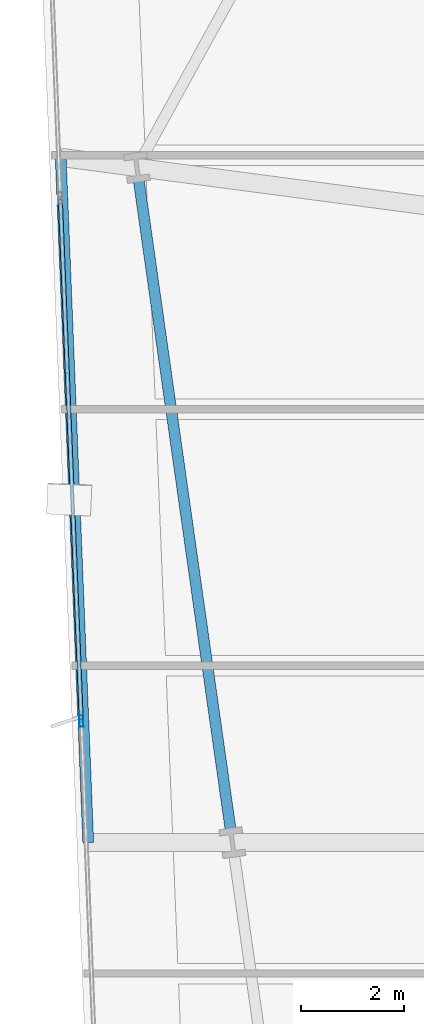
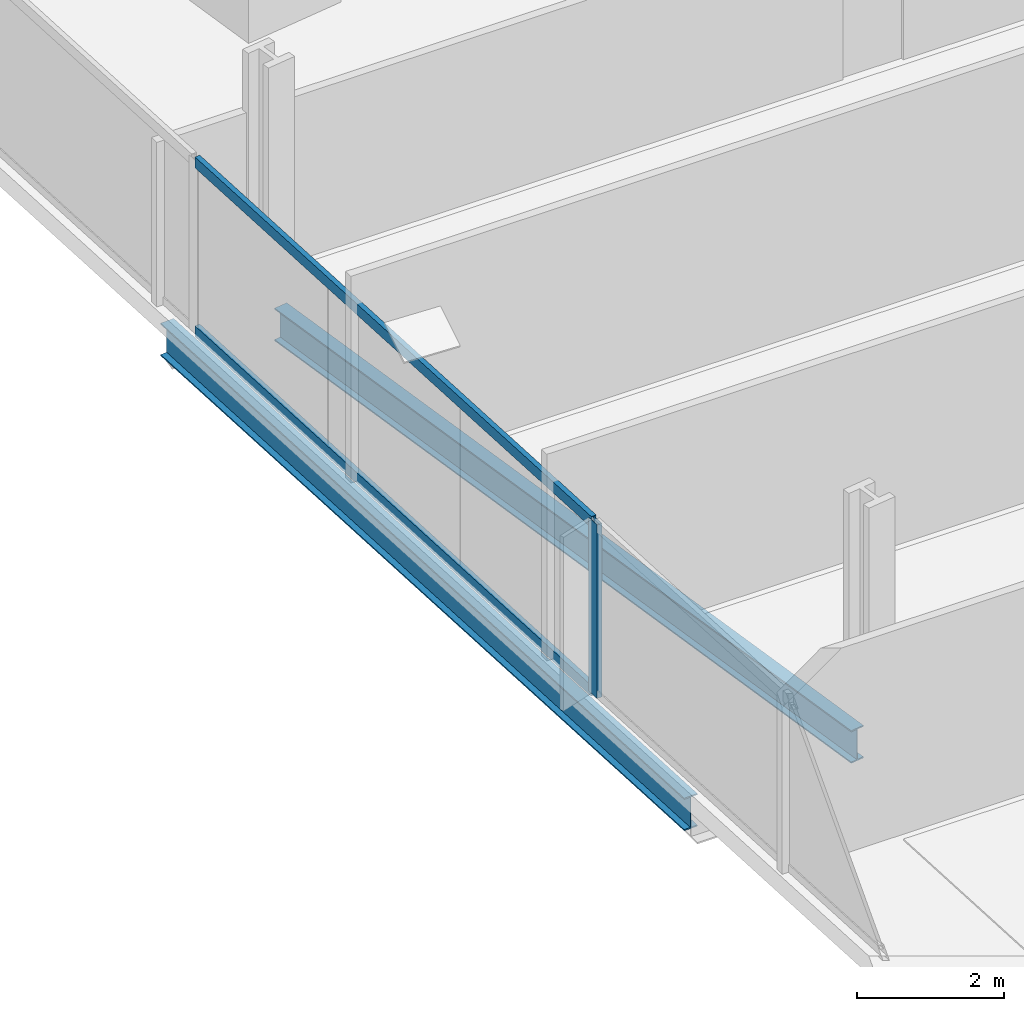
# One storey, part 7 of 32: 3 members, 2 beams, 1 element without a shape of its own.
"""IFC4 building model written with IfcOpenShell, lengths in metres."""

from ifc_helpers import new_model, si_unit, direction, frame, origin, origin_2d, place, context, subcontext, project, spatial, hollow_rectangle, i_section, extrude, material, material_profile, profile_set, type_object, element, aggregate, save


model = new_model("IFC4")

# Units and contexts
model_context = context("Model", 3, precision=1e-05, world=origin(), true_north=direction((0.0, 1.0)))
body_context = subcontext(model_context, "Body", "Model", "MODEL_VIEW")
ifc_project = project(units=[si_unit("LENGTHUNIT", "METRE"), si_unit("AREAUNIT", "SQUARE_METRE"), si_unit("VOLUMEUNIT", "CUBIC_METRE"), si_unit("PLANEANGLEUNIT", "RADIAN"), si_unit("MASSUNIT", "GRAM", prefix="KILO")], contexts=[model_context])

# Site, building, storey
site_placement = place(None, origin())
site = spatial("IfcSite", under=ifc_project, at=site_placement, CompositionType="ELEMENT")
building_placement = place(site_placement, origin())
building = spatial("IfcBuilding", under=site, at=building_placement, Name="Haldenkirk Collegiate Tower", CompositionType="ELEMENT")
storey_placement = place(building_placement, frame((0.0, 0.0, 36.449951171875)))
storey = spatial("IfcBuildingStorey", under=building, at=storey_placement, Name="L07", CompositionType="ELEMENT", Elevation=36.449951171875)

# Beams
ifc_material_1 = material(Name="Steel ASTM A992 Grade 50", Category="steel")
ifc_material_profile_1 = material_profile(ifc_material_1, i_section(OverallWidth=0.2119140625, OverallDepth=0.5439453125, WebThickness=0.01318359375, FlangeThickness=0.021240234375, at=origin_2d()), Name="W21X83")
ifc_profile_set_1 = profile_set([ifc_material_profile_1], Name="Steel ASTM A992 Grade 50")
beam_type = type_object("IfcBeamType", Name="BM-SPANDREL-W21X83", PredefinedType="SPANDREL", material=ifc_profile_set_1)
beam_1_placement = place(storey_placement, frame((10.30322265625, 35.951171875, -0.58203125), z_axis=(0.140049989419, -0.990144434143, 0.0), x_axis=(0.990144434143, 0.140049989419, 0.0)))
element("IfcBeam", 1, at=beam_1_placement, inside=storey, type_object=beam_type, Name="L07 perimeter spandrel beam 14", PredefinedType="SPANDREL", context=body_context, shape_type="SweptSolid", body=[
    extrude(i_section(OverallWidth=0.2119140625, OverallDepth=0.5439453125, WebThickness=0.01318359375, FlangeThickness=0.021240234375, at=origin_2d()), origin(), (0.0, 0.0, 1.0), 12.76220703125),
])
beam_2_placement = place(storey_placement, frame((8.7802734375, 36.409423828125, -0.58203125), z_axis=(0.040144552056, -0.999193882557, 0.0), x_axis=(0.999193882557, 0.040144552056, 0.0)))
element("IfcBeam", 2, at=beam_2_placement, inside=storey, type_object=beam_type, Name="L07 outer facade edge beam 4", PredefinedType="SPANDREL", context=body_context, shape_type="SweptSolid", body=[
    extrude(i_section(OverallWidth=0.2119140625, OverallDepth=0.5439453125, WebThickness=0.01318359375, FlangeThickness=0.021240234375, at=origin_2d()), origin(), (0.0, 0.0, 1.0), 13.3671875),
])

# Curtain wall, members
ifc_material_2 = material(Name="Anodised architectural bronze aluminium", Category="aluminium")
curtain_wall_type = type_object("IfcCurtainWallType", Name="CW-SYS1-CONVEX-LOW", PredefinedType="USERDEFINED", material=ifc_material_2)
curtain_wall_placement = place(storey_placement, origin())
curtain_wall = element("IfcCurtainWall", 3, at=curtain_wall_placement, inside=storey, type_object=curtain_wall_type, Name="L07 Lower tower convex bronze-framed unitised curtain wall", ObjectType="UNITISED CURTAIN WALL", PredefinedType="USERDEFINED")
ifc_material_profile_2 = material_profile(ifc_material_2, hollow_rectangle(XDim=0.080078125, YDim=0.219970703125, WallThickness=0.0048828125, at=origin_2d()), Name="CW-MUL-1A")
ifc_profile_set_2 = profile_set([ifc_material_profile_2], Name="Anodised architectural bronze aluminium")
member_type_1 = type_object("IfcMemberType", Name="CW-MUL-1A", PredefinedType="MULLION", material=ifc_profile_set_2)
member_1_placement = place(storey_placement, frame((9.181640625, 25.42333984375, 0.0), z_axis=(0.0, 0.0, 1.0), x_axis=(-0.999194371406, -0.040132382816, 0.0)))
member_1 = element("IfcMember", 4, at=member_1_placement, type_object=member_type_1, Name="CW-1A mullion 3", PredefinedType="MULLION", context=body_context, shape_type="SweptSolid", body=[
    extrude(hollow_rectangle(XDim=0.080078125, YDim=0.219970703125, WallThickness=0.0048828125, at=origin_2d()), origin(), (0.0, 0.0, 1.0), 2.89111328125),
])
ifc_material_profile_3 = material_profile(ifc_material_2, hollow_rectangle(XDim=0.080078125, YDim=0.179931640625, WallThickness=0.0048828125, at=origin_2d()), Name="CW-TRN-1A")
ifc_profile_set_3 = profile_set([ifc_material_profile_3], Name="Anodised architectural bronze aluminium")
member_type_2 = type_object("IfcMemberType", Name="CW-TRN-1A", PredefinedType="USERDEFINED", material=ifc_profile_set_3)
member_2_placement = place(storey_placement, frame((9.179931640625, 25.463134765625, 0.0400390625), z_axis=(-0.040119298697, 0.99919489684, 0.0), x_axis=(-0.99919489684, -0.040119298697, 0.0)))
member_2 = element("IfcMember", 5, at=member_2_placement, type_object=member_type_2, Name="CW-1A transom 3.1", ObjectType="TRANSOM", PredefinedType="USERDEFINED", context=body_context, shape_type="SweptSolid", body=[
    extrude(hollow_rectangle(XDim=0.080078125, YDim=0.179931640625, WallThickness=0.0048828125, at=origin_2d()), origin(), (0.0, 0.0, 1.0), 10.119873046875),
])
member_3_placement = place(storey_placement, frame((9.179931640625, 25.463134765625, 2.85107421875), z_axis=(-0.040119298697, 0.99919489684, 0.0), x_axis=(-0.99919489684, -0.040119298697, 0.0)))
member_3 = element("IfcMember", 6, at=member_3_placement, type_object=member_type_2, Name="CW-1A transom 3.2", ObjectType="TRANSOM", PredefinedType="USERDEFINED", context=body_context, shape_type="SweptSolid", body=[
    extrude(hollow_rectangle(XDim=0.080078125, YDim=0.179931640625, WallThickness=0.0048828125, at=origin_2d()), origin(), (0.0, 0.0, 1.0), 10.119873046875),
])
aggregate(curtain_wall, [member_1, member_2, member_3])

save(model, "model.ifc")
